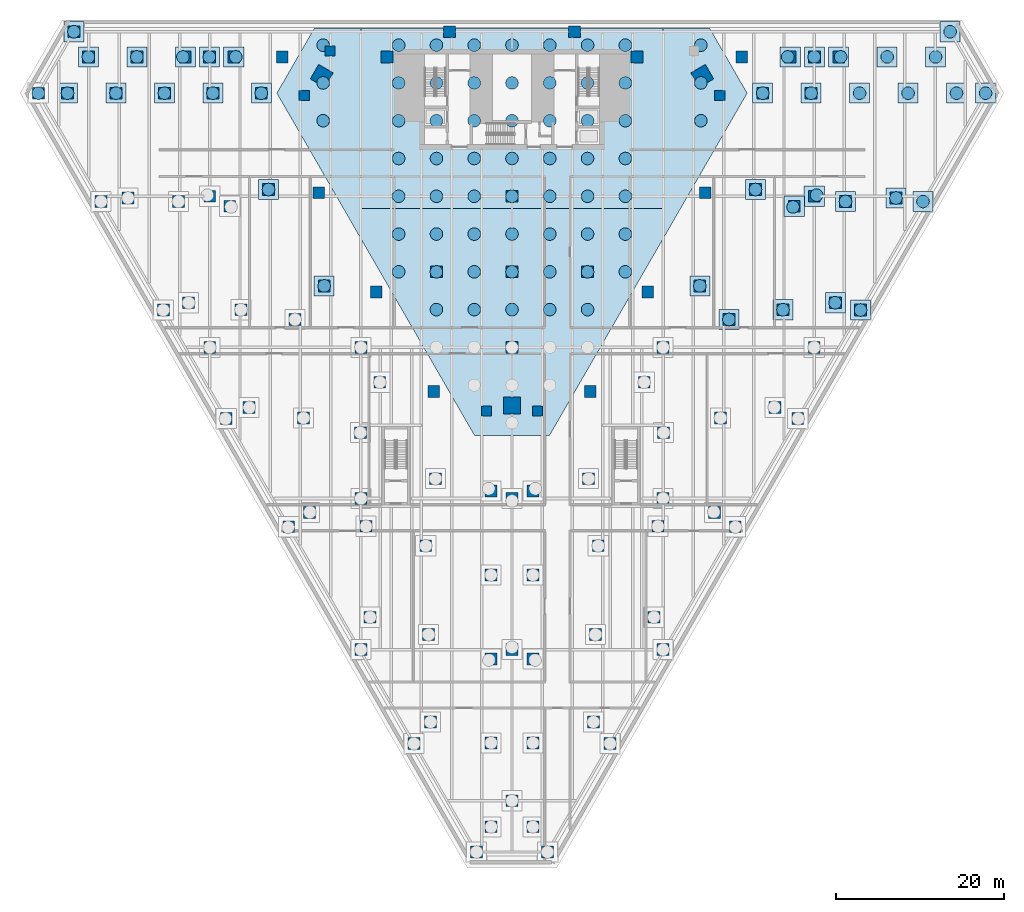
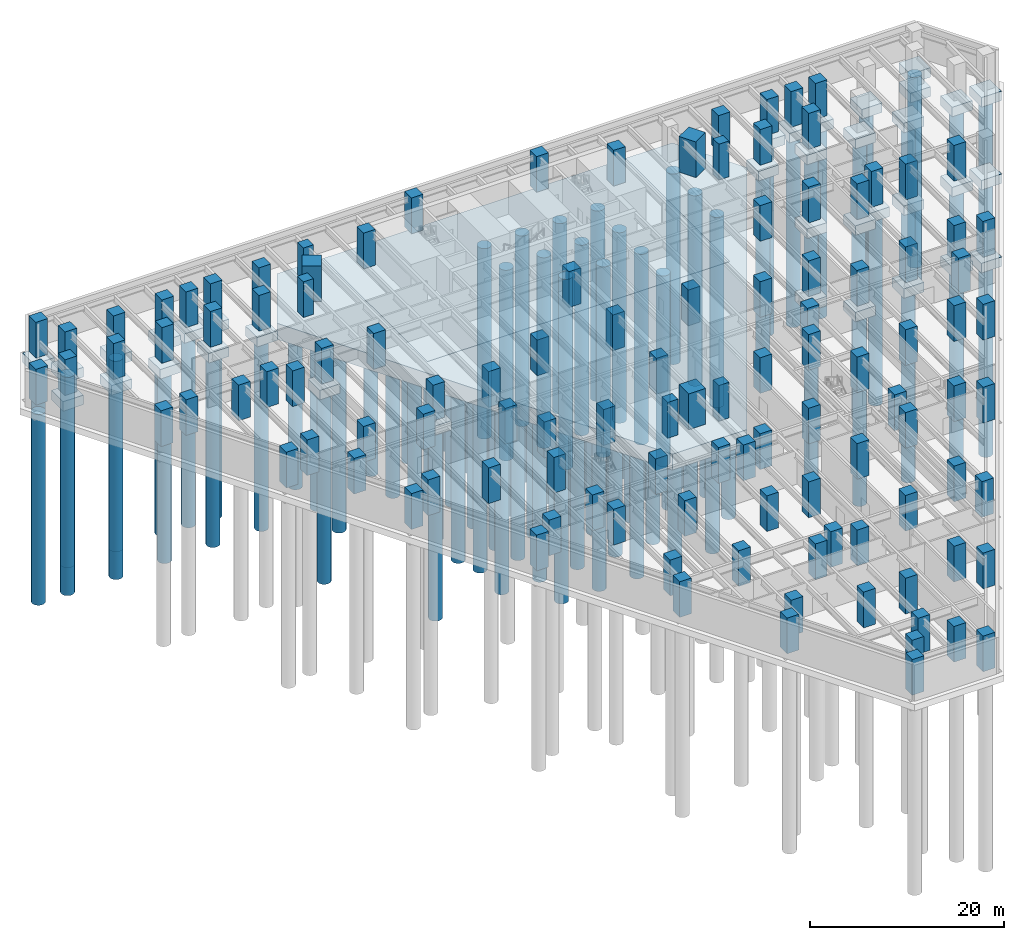
# One storey, part 2 of 18: 114 columns, 97 piles, 38 footings.
"""IFC4 building model written with IfcOpenShell, lengths in metres."""

from ifc_helpers import new_model, si_unit, direction, frame, origin, origin_2d, place, context, subcontext, project, spatial, polyline, rectangle, circle, outline, extrude, material, layer, layer_set, material_profile, profile_set, type_object, element, save


model = new_model("IFC4")

# Units and contexts
model_context = context("Model", 3, precision=1e-05, world=origin(), true_north=direction((0.0, 1.0)))
body_context = subcontext(model_context, "Body", "Model", "MODEL_VIEW")
ifc_project = project(units=[si_unit("LENGTHUNIT", "METRE"), si_unit("AREAUNIT", "SQUARE_METRE"), si_unit("VOLUMEUNIT", "CUBIC_METRE"), si_unit("PLANEANGLEUNIT", "RADIAN"), si_unit("MASSUNIT", "GRAM", prefix="KILO")], contexts=[model_context])

# Site, building, storey
site_placement = place(None, origin())
site = spatial("IfcSite", under=ifc_project, at=site_placement, CompositionType="ELEMENT")
building_placement = place(site_placement, origin())
building = spatial("IfcBuilding", under=site, at=building_placement, Name="Aloe Facet Convention Tower", CompositionType="ELEMENT")
storey_placement = place(building_placement, frame((0.0, 0.0, -9.0)))
storey = spatial("IfcBuildingStorey", under=building, at=storey_placement, Name="B2", CompositionType="ELEMENT", Elevation=-9.0)

# Footings
ifc_material_1 = material(Name="Concrete C40/50", Category="concrete")
footing_type_1 = type_object("IfcFootingType", Name="SF-PAD-3000", PredefinedType="PILE_CAP", material=ifc_material_1)
for number, where, z_axis, x_axis, name in (
    (1, (116.0, 117.0, -1.5), (0.0, 0.0, 1.0), (1.0, 0.0, 0.0), "PILE CAP PC-13C"),
    (2, (102.375, 106.324951171875, -1.5), (0.0, 0.0, 1.0), (1.0, 0.0, 0.0), "PILE CAP PE-102-106"),
    (3, (105.839111328125, 102.324951171875, -1.5), (0.0, 0.0, 1.0), (1.0, 0.0, 0.0), "PILE CAP PE-106-102"),
    (4, (109.0029296875, 117.804931640625, -1.5), (0.0, 0.0, 1.0), (1.0, 0.0, 0.0), "PILE CAP PE-109-118"),
    (5, (109.85693359375, 129.283935546875, -1.5), (0.0, 0.0, 1.0), (1.0, 0.0, 0.0), "PILE CAP PE-110-129"),
    (6, (112.281982421875, 103.485107421875, -1.5), (0.0, 0.0, 1.0), (1.0, 0.0, 0.0), "PILE CAP PE-112-103"),
    (7, (113.138916015625, 133.60009765625, -1.5), (0.0, 0.0, 1.0), (1.0, 0.0, 0.0), "PILE CAP PE-113-134"),
    (8, (113.62109375, 115.804931640625, -1.5), (0.0, 0.0, 1.0), (1.0, 0.0, 0.0), "PILE CAP PE-114-116"),
    (9, (115.6298828125, 129.283935546875, -1.5), (0.0, 0.0, 1.0), (1.0, 0.0, 0.0), "PILE CAP PE-116-129"),
    (10, (116.0419921875, 133.60009765625, -1.5), (0.0, 0.0, 1.0), (1.0, 0.0, 0.0), "PILE CAP PE-116-134"),
    (11, (118.533935546875, 104.31298828125, -1.5), (0.0, 0.0, 1.0), (1.0, 0.0, 0.0), "PILE CAP PE-119-104"),
    (12, (118.912109375, 133.60009765625, -1.5), (0.0, 0.0, 1.0), (1.0, 0.0, 0.0), "PILE CAP PE-119-134"),
    (13, (119.72998046875, 116.385009765625, -1.5), (0.0, 0.0, 1.0), (1.0, 0.0, 0.0), "PILE CAP PE-120-116"),
    (14, (121.404052734375, 129.283935546875, -1.5), (0.0, 0.0, 1.0), (1.0, 0.0, 0.0), "PILE CAP PE-121-129"),
    (15, (121.5029296875, 103.4560546875, -1.5), (0.0, 0.0, 1.0), (1.0, 0.0, 0.0), "PILE CAP PE-122-103"),
    (16, (124.68603515625, 133.60009765625, -1.5), (0.0, 0.0, 1.0), (1.0, 0.0, 0.0), "PILE CAP PE-125-134"),
    (17, (125.741943359375, 116.799072265625, -1.5), (0.0, 0.0, 1.0), (1.0, 0.0, 0.0), "PILE CAP PE-126-117"),
    (18, (127.177001953125, 129.283935546875, -1.5), (0.0, 0.0, 1.0), (1.0, 0.0, 0.0), "PILE CAP PE-127-129"),
    (19, (128.958984375, 116.3701171875, -1.5), (0.0, 0.0, 1.0), (1.0, 0.0, 0.0), "PILE CAP PE-129-116"),
    (20, (130.458984375, 133.60009765625, -1.5), (0.0, 0.0, 1.0), (1.0, 0.0, 0.0), "PILE CAP PE-130-134"),
    (21, (132.19091796875, 136.60009765625, -1.5), (0.0, 0.0, 1.0), (1.0, 0.0, 0.0), "PILE CAP PE-132-137"),
    (22, (132.950927734375, 129.283935546875, -1.5), (0.0, 0.0, 1.0), (1.0, 0.0, 0.0), "PILE CAP PE-133-129"),
    (23, (136.4150390625, 129.283935546875, -1.5), (0.0, 0.0, 1.0), (1.0, 0.0, 0.0), "PILE CAP PE-136-129"),
    (24, (27.049072265625, 129.283935546875, -1.5), (0.0, 0.0, 1.0), (1.0, 0.0, 0.0), "PILE CAP PE-27-129"),
    (25, (27.80908203125, 136.60009765625, -1.5), (0.0, 0.0, 1.0), (1.0, 0.0, 0.0), "PILE CAP PE-28-137"),
    (26, (29.541015625, 133.60009765625, -1.5), (0.0, 0.0, 1.0), (1.0, 0.0, 0.0), "PILE CAP PE-30-134"),
    (27, (32.822998046875, 129.283935546875, -1.5), (0.0, 0.0, 1.0), (1.0, 0.0, 0.0), "PILE CAP PE-33-129"),
    (28, (35.31396484375, 133.60009765625, -1.5), (0.0, 0.0, 1.0), (1.0, 0.0, 0.0), "PILE CAP PE-35-134"),
    (29, (38.595947265625, 129.283935546875, -1.5), (0.0, 0.0, 1.0), (1.0, 0.0, 0.0), "PILE CAP PE-39-129"),
    (30, (41.087890625, 133.60009765625, -1.5), (0.0, 0.0, 1.0), (1.0, 0.0, 0.0), "PILE CAP PE-41-134"),
    (31, (44.3701171875, 129.283935546875, -1.5), (0.0, 0.0, 1.0), (1.0, 0.0, 0.0), "PILE CAP PE-44-129"),
    (32, (43.9580078125, 133.60009765625, -1.5), (0.0, 0.0, 1.0), (1.0, 0.0, 0.0), "PILE CAP PE-44-134"),
    (33, (46.861083984375, 133.60009765625, -1.5), (0.0, 0.0, 1.0), (1.0, 0.0, 0.0), "PILE CAP PE-47-134"),
    (34, (50.14306640625, 129.283935546875, -1.5), (0.0, 0.0, 1.0), (1.0, 0.0, 0.0), "PILE CAP PE-50-129"),
    (35, (50.9970703125, 117.804931640625, -1.5), (0.0, 0.0, 1.0), (1.0, 0.0, 0.0), "PILE CAP PE-51-118"),
    (36, (57.625, 106.324951171875, -1.5), (0.0, 0.0, 1.0), (1.0, 0.0, 0.0), "PILE CAP PE-58-106"),
):
    element("IfcFooting", number, at=place(storey_placement, frame(where, z_axis=z_axis, x_axis=x_axis)), inside=storey, type_object=footing_type_1, Name=name, PredefinedType="PILE_CAP", context=body_context, shape_type="SweptSolid", body=[
        extrude(rectangle(XDim=2.39990234375, YDim=2.39990234375, at=origin_2d()), origin(), (0.0, 0.0, 1.0), 1.199951171875),
    ])

# Piles
ifc_material_2 = material(Name="Concrete C40/50", Category="concrete")
ifc_material_profile_1 = material_profile(ifc_material_2, circle(Radius=0.75, at=origin_2d()), Name="D1500")
ifc_profile_set_1 = profile_set([ifc_material_profile_1], Name="Concrete C40/50")
pile_type = type_object("IfcPileType", Name="SF-PILE-D1500", PredefinedType="BORED", material=ifc_profile_set_1)
for number, where, z_axis, x_axis, name in (
    (37, (66.5, 117.0, -3.64990234375), (0.0, 0.0, -1.0), (1.0, 0.0, 0.0), "BORED PILE 001"),
    (38, (66.5, 121.5, -3.64990234375), (0.0, 0.0, -1.0), (1.0, 0.0, 0.0), "BORED PILE 002"),
    (39, (66.5, 126.0, -3.64990234375), (0.0, 0.0, -1.0), (1.0, 0.0, 0.0), "BORED PILE 003"),
    (40, (66.5, 130.5, -3.64990234375), (0.0, 0.0, -1.0), (1.0, 0.0, 0.0), "BORED PILE 004"),
    (41, (66.5, 135.0, -3.64990234375), (0.0, 0.0, -1.0), (1.0, 0.0, 0.0), "BORED PILE 005"),
    (42, (71.0, 117.0, -3.64990234375), (0.0, 0.0, -1.0), (1.0, 0.0, 0.0), "BORED PILE 006"),
    (43, (71.0, 121.5, -3.64990234375), (0.0, 0.0, -1.0), (1.0, 0.0, 0.0), "BORED PILE 007"),
    (44, (71.0, 126.0, -3.64990234375), (0.0, 0.0, -1.0), (1.0, 0.0, 0.0), "BORED PILE 008"),
    (45, (71.0, 130.5, -3.64990234375), (0.0, 0.0, -1.0), (1.0, 0.0, 0.0), "BORED PILE 009"),
    (46, (71.0, 135.0, -3.64990234375), (0.0, 0.0, -1.0), (1.0, 0.0, 0.0), "BORED PILE 010"),
    (47, (75.5, 117.0, -3.64990234375), (0.0, 0.0, -1.0), (1.0, 0.0, 0.0), "BORED PILE 011"),
    (48, (75.5, 121.5, -3.64990234375), (0.0, 0.0, -1.0), (1.0, 0.0, 0.0), "BORED PILE 012"),
    (49, (75.5, 126.0, -3.64990234375), (0.0, 0.0, -1.0), (1.0, 0.0, 0.0), "BORED PILE 013"),
    (50, (75.5, 130.5, -3.64990234375), (0.0, 0.0, -1.0), (1.0, 0.0, 0.0), "BORED PILE 014"),
    (51, (75.5, 135.0, -3.64990234375), (0.0, 0.0, -1.0), (1.0, 0.0, 0.0), "BORED PILE 015"),
    (52, (80.0, 117.0, -3.64990234375), (0.0, 0.0, -1.0), (1.0, 0.0, 0.0), "BORED PILE 016"),
    (53, (80.0, 121.5, -3.64990234375), (0.0, 0.0, -1.0), (1.0, 0.0, 0.0), "BORED PILE 017"),
    (54, (80.0, 126.0, -3.64990234375), (0.0, 0.0, -1.0), (1.0, 0.0, 0.0), "BORED PILE 018"),
    (55, (80.0, 130.5, -3.64990234375), (0.0, 0.0, -1.0), (1.0, 0.0, 0.0), "BORED PILE 019"),
    (56, (80.0, 135.0, -3.64990234375), (0.0, 0.0, -1.0), (1.0, 0.0, 0.0), "BORED PILE 020"),
    (57, (84.5, 117.0, -3.64990234375), (0.0, 0.0, -1.0), (1.0, 0.0, 0.0), "BORED PILE 021"),
    (58, (84.5, 121.5, -3.64990234375), (0.0, 0.0, -1.0), (1.0, 0.0, 0.0), "BORED PILE 022"),
    (59, (84.5, 126.0, -3.64990234375), (0.0, 0.0, -1.0), (1.0, 0.0, 0.0), "BORED PILE 023"),
    (60, (84.5, 130.5, -3.64990234375), (0.0, 0.0, -1.0), (1.0, 0.0, 0.0), "BORED PILE 024"),
    (61, (84.5, 135.0, -3.64990234375), (0.0, 0.0, -1.0), (1.0, 0.0, 0.0), "BORED PILE 025"),
    (62, (89.0, 117.0, -3.64990234375), (0.0, 0.0, -1.0), (1.0, 0.0, 0.0), "BORED PILE 026"),
    (63, (89.0, 121.5, -3.64990234375), (0.0, 0.0, -1.0), (1.0, 0.0, 0.0), "BORED PILE 027"),
    (64, (89.0, 126.0, -3.64990234375), (0.0, 0.0, -1.0), (1.0, 0.0, 0.0), "BORED PILE 028"),
    (65, (89.0, 130.5, -3.64990234375), (0.0, 0.0, -1.0), (1.0, 0.0, 0.0), "BORED PILE 029"),
    (66, (89.0, 135.0, -3.64990234375), (0.0, 0.0, -1.0), (1.0, 0.0, 0.0), "BORED PILE 030"),
    (67, (93.5, 117.0, -3.64990234375), (0.0, 0.0, -1.0), (1.0, 0.0, 0.0), "BORED PILE 031"),
    (68, (93.5, 121.5, -3.64990234375), (0.0, 0.0, -1.0), (1.0, 0.0, 0.0), "BORED PILE 032"),
    (69, (93.5, 126.0, -3.64990234375), (0.0, 0.0, -1.0), (1.0, 0.0, 0.0), "BORED PILE 033"),
    (70, (93.5, 130.5, -3.64990234375), (0.0, 0.0, -1.0), (1.0, 0.0, 0.0), "BORED PILE 034"),
    (71, (93.5, 135.0, -3.64990234375), (0.0, 0.0, -1.0), (1.0, 0.0, 0.0), "BORED PILE 035"),
    (72, (57.5, 126.0, -2.14990234375), (0.0, 0.0, -1.0), (1.0, 0.0, 0.0), "BORED PILE 036"),
    (73, (57.5, 130.5, -2.14990234375), (0.0, 0.0, -1.0), (1.0, 0.0, 0.0), "BORED PILE 037"),
    (74, (57.5, 135.0, -2.14990234375), (0.0, 0.0, -1.0), (1.0, 0.0, 0.0), "BORED PILE 038"),
    (75, (66.5, 108.0, -2.14990234375), (0.0, 0.0, -1.0), (1.0, 0.0, 0.0), "BORED PILE 039"),
    (76, (66.5, 112.5, -2.14990234375), (0.0, 0.0, -1.0), (1.0, 0.0, 0.0), "BORED PILE 040"),
    (77, (71.0, 103.5, -2.14990234375), (0.0, 0.0, -1.0), (1.0, 0.0, 0.0), "BORED PILE 042"),
    (78, (71.0, 108.0, -2.14990234375), (0.0, 0.0, -1.0), (1.0, 0.0, 0.0), "BORED PILE 043"),
    (79, (71.0, 112.5, -2.14990234375), (0.0, 0.0, -1.0), (1.0, 0.0, 0.0), "BORED PILE 044"),
    (80, (75.5, 103.5, -2.14990234375), (0.0, 0.0, -1.0), (1.0, 0.0, 0.0), "BORED PILE 047"),
    (81, (75.5, 108.0, -2.14990234375), (0.0, 0.0, -1.0), (1.0, 0.0, 0.0), "BORED PILE 048"),
    (82, (75.5, 112.5, -2.14990234375), (0.0, 0.0, -1.0), (1.0, 0.0, 0.0), "BORED PILE 049"),
    (83, (80.0, 103.5, -2.14990234375), (0.0, 0.0, -1.0), (1.0, 0.0, 0.0), "BORED PILE 053"),
    (84, (80.0, 108.0, -2.14990234375), (0.0, 0.0, -1.0), (1.0, 0.0, 0.0), "BORED PILE 054"),
    (85, (80.0, 112.5, -2.14990234375), (0.0, 0.0, -1.0), (1.0, 0.0, 0.0), "BORED PILE 055"),
    (86, (84.5, 103.5, -2.14990234375), (0.0, 0.0, -1.0), (1.0, 0.0, 0.0), "BORED PILE 058"),
    (87, (84.5, 108.0, -2.14990234375), (0.0, 0.0, -1.0), (1.0, 0.0, 0.0), "BORED PILE 059"),
    (88, (84.5, 112.5, -2.14990234375), (0.0, 0.0, -1.0), (1.0, 0.0, 0.0), "BORED PILE 060"),
    (89, (89.0, 103.5, -2.14990234375), (0.0, 0.0, -1.0), (1.0, 0.0, 0.0), "BORED PILE 062"),
    (90, (89.0, 108.0, -2.14990234375), (0.0, 0.0, -1.0), (1.0, 0.0, 0.0), "BORED PILE 063"),
    (91, (89.0, 112.5, -2.14990234375), (0.0, 0.0, -1.0), (1.0, 0.0, 0.0), "BORED PILE 064"),
    (92, (93.5, 108.0, -2.14990234375), (0.0, 0.0, -1.0), (1.0, 0.0, 0.0), "BORED PILE 065"),
    (93, (93.5, 112.5, -2.14990234375), (0.0, 0.0, -1.0), (1.0, 0.0, 0.0), "BORED PILE 066"),
    (94, (102.5, 126.0, -2.14990234375), (0.0, 0.0, -1.0), (1.0, 0.0, 0.0), "BORED PILE 067"),
    (95, (102.5, 130.5, -2.14990234375), (0.0, 0.0, -1.0), (1.0, 0.0, 0.0), "BORED PILE 068"),
    (96, (102.5, 135.0, -2.14990234375), (0.0, 0.0, -1.0), (1.0, 0.0, 0.0), "BORED PILE 069"),
    (97, (116.2900390625, 117.146484375, -1.35009765625), (0.0, 0.0, -1.0), (1.0, 0.0, 0.0), "BORED PILE 073"),
    (98, (102.375, 106.324951171875, -1.35009765625), (0.0, 0.0, -1.0), (1.0, 0.0, 0.0), "BORED PILE 083"),
    (99, (105.839111328125, 102.324951171875, -1.35009765625), (0.0, 0.0, -1.0), (1.0, 0.0, 0.0), "BORED PILE 086"),
    (100, (109.0029296875, 117.804931640625, -1.35009765625), (0.0, 0.0, -1.0), (1.0, 0.0, 0.0), "BORED PILE 088"),
    (101, (109.85693359375, 129.283935546875, -1.35009765625), (0.0, 0.0, -1.0), (1.0, 0.0, 0.0), "BORED PILE 089"),
    (102, (112.281982421875, 103.485107421875, -1.35009765625), (0.0, 0.0, -1.0), (1.0, 0.0, 0.0), "BORED PILE 091"),
    (103, (112.84912109375, 133.60009765625, -1.35009765625), (0.0, 0.0, -1.0), (1.0, 0.0, 0.0), "BORED PILE 092"),
    (104, (113.4755859375, 115.73193359375, -1.35009765625), (0.0, 0.0, -1.0), (1.0, 0.0, 0.0), "BORED PILE 093"),
    (105, (115.6298828125, 129.283935546875, -1.35009765625), (0.0, 0.0, -1.0), (1.0, 0.0, 0.0), "BORED PILE 095"),
    (106, (115.99951171875, 133.60009765625, -1.35009765625), (0.0, 0.0, -1.0), (1.0, 0.0, 0.0), "BORED PILE 096"),
    (107, (118.4951171875, 104.32421875, -1.35009765625), (0.0, 0.0, -1.0), (1.0, 0.0, 0.0), "BORED PILE 097"),
    (108, (119.14990234375, 133.60009765625, -1.35009765625), (0.0, 0.0, -1.0), (1.0, 0.0, 0.0), "BORED PILE 098"),
    (109, (119.72998046875, 116.385009765625, -1.35009765625), (0.0, 0.0, -1.0), (1.0, 0.0, 0.0), "BORED PILE 099"),
    (110, (121.404052734375, 129.283935546875, -1.35009765625), (0.0, 0.0, -1.0), (1.0, 0.0, 0.0), "BORED PILE 100"),
    (111, (121.521484375, 103.45068359375, -1.35009765625), (0.0, 0.0, -1.0), (1.0, 0.0, 0.0), "BORED PILE 101"),
    (112, (124.68603515625, 133.60009765625, -1.35009765625), (0.0, 0.0, -1.0), (1.0, 0.0, 0.0), "BORED PILE 102"),
    (113, (125.741943359375, 116.799072265625, -1.35009765625), (0.0, 0.0, -1.0), (1.0, 0.0, 0.0), "BORED PILE 103"),
    (114, (127.177001953125, 129.283935546875, -1.35009765625), (0.0, 0.0, -1.0), (1.0, 0.0, 0.0), "BORED PILE 104"),
    (115, (128.958984375, 116.3701171875, -1.35009765625), (0.0, 0.0, -1.0), (1.0, 0.0, 0.0), "BORED PILE 105"),
    (116, (130.458984375, 133.60009765625, -1.35009765625), (0.0, 0.0, -1.0), (1.0, 0.0, 0.0), "BORED PILE 106"),
    (117, (132.19091796875, 136.60009765625, -1.35009765625), (0.0, 0.0, -1.0), (1.0, 0.0, 0.0), "BORED PILE 107"),
    (118, (132.950927734375, 129.283935546875, -1.35009765625), (0.0, 0.0, -1.0), (1.0, 0.0, 0.0), "BORED PILE 108"),
    (119, (136.4150390625, 129.283935546875, -1.35009765625), (0.0, 0.0, -1.0), (1.0, 0.0, 0.0), "BORED PILE 109"),
    (120, (23.5849609375, 129.283935546875, -1.35009765625), (0.0, 0.0, -1.0), (1.0, 0.0, 0.0), "BORED PILE 110"),
    (121, (27.049072265625, 129.283935546875, -1.35009765625), (0.0, 0.0, -1.0), (1.0, 0.0, 0.0), "BORED PILE 111"),
    (122, (27.80908203125, 136.60009765625, -1.35009765625), (0.0, 0.0, -1.0), (1.0, 0.0, 0.0), "BORED PILE 112"),
    (123, (29.541015625, 133.60009765625, -1.35009765625), (0.0, 0.0, -1.0), (1.0, 0.0, 0.0), "BORED PILE 113"),
    (124, (32.822998046875, 129.283935546875, -1.35009765625), (0.0, 0.0, -1.0), (1.0, 0.0, 0.0), "BORED PILE 115"),
    (125, (35.31396484375, 133.60009765625, -1.35009765625), (0.0, 0.0, -1.0), (1.0, 0.0, 0.0), "BORED PILE 117"),
    (126, (38.595947265625, 129.283935546875, -1.35009765625), (0.0, 0.0, -1.0), (1.0, 0.0, 0.0), "BORED PILE 119"),
    (127, (40.798095703125, 133.60009765625, -1.35009765625), (0.0, 0.0, -1.0), (1.0, 0.0, 0.0), "BORED PILE 122"),
    (128, (44.3701171875, 129.283935546875, -1.35009765625), (0.0, 0.0, -1.0), (1.0, 0.0, 0.0), "BORED PILE 123"),
    (129, (43.9482421875, 133.60009765625, -1.35009765625), (0.0, 0.0, -1.0), (1.0, 0.0, 0.0), "BORED PILE 124"),
    (130, (47.098388671875, 133.60009765625, -1.35009765625), (0.0, 0.0, -1.0), (1.0, 0.0, 0.0), "BORED PILE 127"),
    (131, (50.14306640625, 129.283935546875, -1.35009765625), (0.0, 0.0, -1.0), (1.0, 0.0, 0.0), "BORED PILE 130"),
    (132, (50.9970703125, 117.804931640625, -1.35009765625), (0.0, 0.0, -1.0), (1.0, 0.0, 0.0), "BORED PILE 131"),
    (133, (57.625, 106.324951171875, -1.35009765625), (0.0, 0.0, -1.0), (1.0, 0.0, 0.0), "BORED PILE 136"),
):
    element("IfcPile", number, at=place(storey_placement, frame(where, z_axis=z_axis, x_axis=x_axis)), inside=storey, type_object=pile_type, Name=name, PredefinedType="BORED", context=body_context, shape_type="SweptSolid", body=[
        extrude(circle(Radius=0.75, at=origin_2d()), origin(), (0.0, 0.0, 1.0), 24.0),
    ])

# Footings
ifc_material_3 = material(Name="Concrete C40/50", Category="concrete")
ifc_layer_1 = layer(ifc_material_3, 2.0)
ifc_layer_set_1 = layer_set([ifc_layer_1], Name="SF-RAFT-2000")
footing_type_2 = type_object("IfcFootingType", Name="SF-RAFT-2000", PredefinedType="PILE_CAP", material=ifc_layer_set_1)
footing_1_placement = place(storey_placement, frame((0.0, 0.0, -2.300048828125)))
element("IfcFooting", 134, at=footing_1_placement, inside=storey, type_object=footing_type_2, Name="RAFT RF2-1", PredefinedType="PILE_CAP", context=body_context, shape_type="SweptSolid", body=[
    extrude(outline(polyline([(108.009521484375, 129.2841796875), (84.45458984375, 88.486328125), (75.54541015625, 88.486328125), (51.990478515625, 129.2841796875), (56.4453125, 137.0), (62.0, 137.0), (62.0, 115.550048828125), (98.0, 115.550048828125), (98.0, 137.0), (103.5546875, 137.0), (108.009521484375, 129.2841796875)])), origin(), (0.0, 0.0, 1.0), 2.0),
])
ifc_material_4 = material(Name="Concrete C40/50", Category="concrete")
ifc_layer_2 = layer(ifc_material_4, 3.5)
ifc_layer_set_2 = layer_set([ifc_layer_2], Name="SF-RAFT-3500")
footing_type_3 = type_object("IfcFootingType", Name="SF-RAFT-3500", PredefinedType="PILE_CAP", material=ifc_layer_set_2)
footing_2_placement = place(storey_placement, frame((0.0, 0.0, -3.800048828125)))
element("IfcFooting", 135, at=footing_2_placement, inside=storey, type_object=footing_type_3, Name="RAFT RF1-1", PredefinedType="PILE_CAP", context=body_context, shape_type="SweptSolid", body=[
    extrude(outline(polyline([(62.0, 115.550048828125), (62.0, 137.0), (98.0, 137.0), (98.0, 115.550048828125), (62.0, 115.550048828125)])), origin(), (0.0, 0.0, 1.0), 3.5),
])

# Columns
ifc_material_5 = material(Name="Concrete C60/75", Category="concrete")
ifc_material_profile_2 = material_profile(ifc_material_5, rectangle(XDim=1.39990234375, YDim=1.39990234375, at=origin_2d()), Name="SF-PC-1400")
ifc_profile_set_2 = profile_set([ifc_material_profile_2], Name="Concrete C60/75")
column_type_1 = type_object("IfcColumnType", Name="SF-PC-1400", PredefinedType="COLUMN", material=ifc_profile_set_2)
for number, where, z_axis, x_axis, name in (
    (136, (89.0, 108.0, 0.0), (0.0, 0.0, 1.0), (1.0, 0.0, 0.0), "Podium column PC-10D"),
    (137, (98.0, 99.0, 0.0), (0.0, 0.0, 1.0), (1.0, 0.0, 0.0), "Podium column PC-11E"),
    (138, (98.0, 81.0, 0.0), (0.0, 0.0, 1.0), (1.0, 0.0, 0.0), "Podium column PC-11G"),
    (139, (98.0, 63.0, 0.0), (0.0, 0.0, 1.0), (1.0, 0.0, 0.0), "Podium column PC-11J"),
    (140, (116.0, 117.0, 0.0), (0.0, 0.0, 1.0), (1.0, 0.0, 0.0), "Podium column PC-13C"),
    (141, (116.0, 99.0, 0.0), (0.0, 0.0, 1.0), (1.0, 0.0, 0.0), "Podium column PC-13E"),
    (142, (44.0, 117.0, 0.0), (0.0, 0.0, 1.0), (1.0, 0.0, 0.0), "Podium column PC-5C"),
    (143, (44.0, 99.0, 0.0), (0.0, 0.0, 1.0), (1.0, 0.0, 0.0), "Podium column PC-5E"),
    (144, (62.0, 99.0, 0.0), (0.0, 0.0, 1.0), (1.0, 0.0, 0.0), "Podium column PC-7E"),
    (145, (62.0, 81.0, 0.0), (0.0, 0.0, 1.0), (1.0, 0.0, 0.0), "Podium column PC-7G"),
    (146, (62.0, 63.0, 0.0), (0.0, 0.0, 1.0), (1.0, 0.0, 0.0), "Podium column PC-7J"),
    (147, (71.0, 108.0, 0.0), (0.0, 0.0, 1.0), (1.0, 0.0, 0.0), "Podium column PC-8D"),
    (148, (80.0, 117.0, 0.0), (0.0, 0.0, 1.0), (1.0, 0.0, 0.0), "Podium column PC-9C"),
    (149, (80.0, 108.0, 0.0), (0.0, 0.0, 1.0), (1.0, 0.0, 0.0), "Podium column PC-9D"),
    (150, (80.0, 99.0, 0.0), (0.0, 0.0, 1.0), (1.0, 0.0, 0.0), "Podium column PC-9E"),
    (151, (80.0, 81.0, 0.0), (0.0, 0.0, 1.0), (1.0, 0.0, 0.0), "Podium column PC-9G"),
    (152, (80.0, 63.0, 0.0), (0.0, 0.0, 1.0), (1.0, 0.0, 0.0), "Podium column PC-9J"),
    (153, (80.0, 45.0, 0.0), (0.0, 0.0, 1.0), (1.0, 0.0, 0.0), "Podium column PC-9L"),
    (154, (102.375, 106.324951171875, 0.0), (0.0, 0.0, 1.0), (1.0, 0.0, 0.0), "Podium column PE-102-106"),
    (155, (103.01611328125, 117.43505859375, 0.0), (0.0, 0.0, 1.0), (1.0, 0.0, 0.0), "Podium column PE-103-117"),
    (156, (104.116943359375, 79.343017578125, 0.0), (0.0, 0.0, 1.0), (1.0, 0.0, 0.0), "Podium column PE-104-79"),
    (157, (104.8349609375, 90.5849609375, 0.0), (0.0, 0.0, 1.0), (1.0, 0.0, 0.0), "Podium column PE-105-91"),
    (158, (105.839111328125, 102.324951171875, 0.0), (0.0, 0.0, 1.0), (1.0, 0.0, 0.0), "Podium column PE-106-102"),
    (159, (107.364990234375, 133.60009765625, 0.0), (0.0, 0.0, 1.0), (1.0, 0.0, 0.0), "Podium column PE-107-134"),
    (160, (106.591064453125, 77.6279296875, 0.0), (0.0, 0.0, 1.0), (1.0, 0.0, 0.0), "Podium column PE-107-78"),
    (161, (109.0029296875, 117.804931640625, 0.0), (0.0, 0.0, 1.0), (1.0, 0.0, 0.0), "Podium column PE-109-118"),
    (162, (109.85693359375, 129.283935546875, 0.0), (0.0, 0.0, 1.0), (1.0, 0.0, 0.0), "Podium column PE-110-129"),
    (163, (111.325927734375, 91.827880859375, 0.0), (0.0, 0.0, 1.0), (1.0, 0.0, 0.0), "Podium column PE-111-92"),
    (164, (112.281982421875, 103.485107421875, 0.0), (0.0, 0.0, 1.0), (1.0, 0.0, 0.0), "Podium column PE-112-103"),
    (165, (113.138916015625, 133.60009765625, 0.0), (0.0, 0.0, 1.0), (1.0, 0.0, 0.0), "Podium column PE-113-134"),
    (166, (113.62109375, 115.804931640625, 0.0), (0.0, 0.0, 1.0), (1.0, 0.0, 0.0), "Podium column PE-114-116"),
    (167, (114.047119140625, 90.5419921875, 0.0), (0.0, 0.0, 1.0), (1.0, 0.0, 0.0), "Podium column PE-114-91"),
    (168, (115.6298828125, 129.283935546875, 0.0), (0.0, 0.0, 1.0), (1.0, 0.0, 0.0), "Podium column PE-116-129"),
    (169, (116.0419921875, 133.60009765625, 0.0), (0.0, 0.0, 1.0), (1.0, 0.0, 0.0), "Podium column PE-116-134"),
    (170, (118.533935546875, 104.31298828125, 0.0), (0.0, 0.0, 1.0), (1.0, 0.0, 0.0), "Podium column PE-119-104"),
    (171, (118.912109375, 133.60009765625, 0.0), (0.0, 0.0, 1.0), (1.0, 0.0, 0.0), "Podium column PE-119-134"),
    (172, (119.72998046875, 116.385009765625, 0.0), (0.0, 0.0, 1.0), (1.0, 0.0, 0.0), "Podium column PE-120-116"),
    (173, (121.5029296875, 103.4560546875, 0.0), (0.0, 0.0, 1.0), (1.0, 0.0, 0.0), "Podium column PE-122-103"),
    (174, (125.741943359375, 116.799072265625, 0.0), (0.0, 0.0, 1.0), (1.0, 0.0, 0.0), "Podium column PE-126-117"),
    (175, (23.5849609375, 129.283935546875, 0.0), (0.0, 0.0, 1.0), (1.0, 0.0, 0.0), "Podium column PE-24-129"),
    (176, (27.049072265625, 129.283935546875, 0.0), (0.0, 0.0, 1.0), (1.0, 0.0, 0.0), "Podium column PE-27-129"),
    (177, (27.80908203125, 136.60009765625, 0.0), (0.0, 0.0, 1.0), (1.0, 0.0, 0.0), "Podium column PE-28-137"),
    (178, (29.541015625, 133.60009765625, 0.0), (0.0, 0.0, 1.0), (1.0, 0.0, 0.0), "Podium column PE-30-134"),
    (179, (31.041015625, 116.3701171875, 0.0), (0.0, 0.0, 1.0), (1.0, 0.0, 0.0), "Podium column PE-31-116"),
    (180, (32.822998046875, 129.283935546875, 0.0), (0.0, 0.0, 1.0), (1.0, 0.0, 0.0), "Podium column PE-33-129"),
    (181, (34.258056640625, 116.799072265625, 0.0), (0.0, 0.0, 1.0), (1.0, 0.0, 0.0), "Podium column PE-34-117"),
    (182, (35.31396484375, 133.60009765625, 0.0), (0.0, 0.0, 1.0), (1.0, 0.0, 0.0), "Podium column PE-35-134"),
    (183, (38.4970703125, 103.4560546875, 0.0), (0.0, 0.0, 1.0), (1.0, 0.0, 0.0), "Podium column PE-38-103"),
    (184, (38.595947265625, 129.283935546875, 0.0), (0.0, 0.0, 1.0), (1.0, 0.0, 0.0), "Podium column PE-39-129"),
    (185, (40.27001953125, 116.385009765625, 0.0), (0.0, 0.0, 1.0), (1.0, 0.0, 0.0), "Podium column PE-40-116"),
    (186, (41.466064453125, 104.31298828125, 0.0), (0.0, 0.0, 1.0), (1.0, 0.0, 0.0), "Podium column PE-41-104"),
    (187, (41.087890625, 133.60009765625, 0.0), (0.0, 0.0, 1.0), (1.0, 0.0, 0.0), "Podium column PE-41-134"),
    (188, (44.3701171875, 129.283935546875, 0.0), (0.0, 0.0, 1.0), (1.0, 0.0, 0.0), "Podium column PE-44-129"),
    (189, (43.9580078125, 133.60009765625, 0.0), (0.0, 0.0, 1.0), (1.0, 0.0, 0.0), "Podium column PE-44-134"),
    (190, (46.37890625, 115.804931640625, 0.0), (0.0, 0.0, 1.0), (1.0, 0.0, 0.0), "Podium column PE-46-116"),
    (191, (45.952880859375, 90.5419921875, 0.0), (0.0, 0.0, 1.0), (1.0, 0.0, 0.0), "Podium column PE-46-91"),
    (192, (46.861083984375, 133.60009765625, 0.0), (0.0, 0.0, 1.0), (1.0, 0.0, 0.0), "Podium column PE-47-134"),
    (193, (47.718017578125, 103.485107421875, 0.0), (0.0, 0.0, 1.0), (1.0, 0.0, 0.0), "Podium column PE-48-103"),
    (194, (48.674072265625, 91.827880859375, 0.0), (0.0, 0.0, 1.0), (1.0, 0.0, 0.0), "Podium column PE-49-92"),
    (195, (50.14306640625, 129.283935546875, 0.0), (0.0, 0.0, 1.0), (1.0, 0.0, 0.0), "Podium column PE-50-129"),
    (196, (50.9970703125, 117.804931640625, 0.0), (0.0, 0.0, 1.0), (1.0, 0.0, 0.0), "Podium column PE-51-118"),
    (197, (52.635009765625, 133.60009765625, 0.0), (0.0, 0.0, 1.0), (1.0, 0.0, 0.0), "Podium column PE-53-134"),
    (198, (53.408935546875, 77.6279296875, 0.0), (0.0, 0.0, 1.0), (1.0, 0.0, 0.0), "Podium column PE-53-78"),
    (199, (54.160888671875, 102.324951171875, 0.0), (0.0, 0.0, 1.0), (1.0, 0.0, 0.0), "Podium column PE-54-102"),
    (200, (55.1650390625, 90.5849609375, 0.0), (0.0, 0.0, 1.0), (1.0, 0.0, 0.0), "Podium column PE-55-91"),
    (201, (55.883056640625, 79.343017578125, 0.0), (0.0, 0.0, 1.0), (1.0, 0.0, 0.0), "Podium column PE-56-79"),
    (202, (56.98388671875, 117.43505859375, 0.0), (0.0, 0.0, 1.0), (1.0, 0.0, 0.0), "Podium column PE-57-117"),
    (203, (57.625, 106.324951171875, 0.0), (0.0, 0.0, 1.0), (1.0, 0.0, 0.0), "Podium column PE-58-106"),
    (204, (61.943115234375, 88.844970703125, 0.0), (0.0, 0.0, 1.0), (1.0, 0.0, 0.0), "Podium column PE-62-89"),
    (205, (63.091064453125, 66.85693359375, 0.0), (0.0, 0.0, 1.0), (1.0, 0.0, 0.0), "Podium column PE-63-67"),
    (206, (62.613037109375, 77.68603515625, 0.0), (0.0, 0.0, 1.0), (1.0, 0.0, 0.0), "Podium column PE-63-78"),
    (207, (63.825927734375, 105.5849609375, 0.0), (0.0, 0.0, 1.0), (1.0, 0.0, 0.0), "Podium column PE-64-106"),
    (208, (64.2529296875, 94.844970703125, 0.0), (0.0, 0.0, 1.0), (1.0, 0.0, 0.0), "Podium column PE-64-95"),
    (209, (65.10498046875, 133.60009765625, 0.0), (0.0, 0.0, 1.0), (1.0, 0.0, 0.0), "Podium column PE-65-134"),
    (210, (68.320068359375, 51.800048828125, 0.0), (0.0, 0.0, 1.0), (1.0, 0.0, 0.0), "Podium column PE-68-52"),
    (211, (70.300048828125, 54.3720703125, 0.0), (0.0, 0.0, 1.0), (1.0, 0.0, 0.0), "Podium column PE-70-54"),
    (212, (70.06103515625, 64.785888671875, 0.0), (0.0, 0.0, 1.0), (1.0, 0.0, 0.0), "Podium column PE-70-65"),
    (213, (69.72607421875, 75.365966796875, 0.0), (0.0, 0.0, 1.0), (1.0, 0.0, 0.0), "Podium column PE-70-75"),
    (214, (70.881103515625, 83.365966796875, 0.0), (0.0, 0.0, 1.0), (1.0, 0.0, 0.0), "Podium column PE-71-83"),
    (215, (70.6669921875, 93.736083984375, 0.0), (0.0, 0.0, 1.0), (1.0, 0.0, 0.0), "Podium column PE-71-94"),
    (216, (72.5439453125, 136.60009765625, 0.0), (0.0, 0.0, 1.0), (1.0, 0.0, 0.0), "Podium column PE-73-137"),
    (217, (75.77587890625, 38.885986328125, 0.0), (0.0, 0.0, 1.0), (1.0, 0.0, 0.0), "Podium column PE-76-39"),
    (218, (77.508056640625, 41.885986328125, 0.0), (0.0, 0.0, 1.0), (1.0, 0.0, 0.0), "Podium column PE-78-42"),
    (219, (77.508056640625, 51.885986328125, 0.0), (0.0, 0.0, 1.0), (1.0, 0.0, 0.0), "Podium column PE-78-52"),
    (220, (77.508056640625, 61.885986328125, 0.0), (0.0, 0.0, 1.0), (1.0, 0.0, 0.0), "Podium column PE-78-62"),
    (221, (77.508056640625, 71.885986328125, 0.0), (0.0, 0.0, 1.0), (1.0, 0.0, 0.0), "Podium column PE-78-72"),
    (222, (77.508056640625, 81.885986328125, 0.0), (0.0, 0.0, 1.0), (1.0, 0.0, 0.0), "Podium column PE-78-82"),
    (223, (82.491943359375, 41.885986328125, 0.0), (0.0, 0.0, 1.0), (1.0, 0.0, 0.0), "Podium column PE-82-42"),
    (224, (82.491943359375, 51.885986328125, 0.0), (0.0, 0.0, 1.0), (1.0, 0.0, 0.0), "Podium column PE-82-52"),
    (225, (82.491943359375, 61.885986328125, 0.0), (0.0, 0.0, 1.0), (1.0, 0.0, 0.0), "Podium column PE-82-62"),
    (226, (82.491943359375, 71.885986328125, 0.0), (0.0, 0.0, 1.0), (1.0, 0.0, 0.0), "Podium column PE-82-72"),
    (227, (82.491943359375, 81.885986328125, 0.0), (0.0, 0.0, 1.0), (1.0, 0.0, 0.0), "Podium column PE-82-82"),
    (228, (84.22412109375, 38.885986328125, 0.0), (0.0, 0.0, 1.0), (1.0, 0.0, 0.0), "Podium column PE-84-39"),
    (229, (87.4560546875, 136.60009765625, 0.0), (0.0, 0.0, 1.0), (1.0, 0.0, 0.0), "Podium column PE-87-137"),
    (230, (89.118896484375, 83.365966796875, 0.0), (0.0, 0.0, 1.0), (1.0, 0.0, 0.0), "Podium column PE-89-83"),
    (231, (89.3330078125, 93.736083984375, 0.0), (0.0, 0.0, 1.0), (1.0, 0.0, 0.0), "Podium column PE-89-94"),
    (232, (89.699951171875, 54.3720703125, 0.0), (0.0, 0.0, 1.0), (1.0, 0.0, 0.0), "Podium column PE-90-54"),
    (233, (89.93896484375, 64.785888671875, 0.0), (0.0, 0.0, 1.0), (1.0, 0.0, 0.0), "Podium column PE-90-65"),
    (234, (90.27392578125, 75.365966796875, 0.0), (0.0, 0.0, 1.0), (1.0, 0.0, 0.0), "Podium column PE-90-75"),
    (235, (91.679931640625, 51.800048828125, 0.0), (0.0, 0.0, 1.0), (1.0, 0.0, 0.0), "Podium column PE-92-52"),
    (236, (94.89501953125, 133.60009765625, 0.0), (0.0, 0.0, 1.0), (1.0, 0.0, 0.0), "Podium column PE-95-134"),
    (237, (96.174072265625, 105.5849609375, 0.0), (0.0, 0.0, 1.0), (1.0, 0.0, 0.0), "Podium column PE-96-106"),
    (238, (95.7470703125, 94.844970703125, 0.0), (0.0, 0.0, 1.0), (1.0, 0.0, 0.0), "Podium column PE-96-95"),
    (239, (96.908935546875, 66.85693359375, 0.0), (0.0, 0.0, 1.0), (1.0, 0.0, 0.0), "Podium column PE-97-67"),
    (240, (97.386962890625, 77.68603515625, 0.0), (0.0, 0.0, 1.0), (1.0, 0.0, 0.0), "Podium column PE-97-78"),
    (241, (98.056884765625, 88.844970703125, 0.0), (0.0, 0.0, 1.0), (1.0, 0.0, 0.0), "Podium column PE-98-89"),
):
    element("IfcColumn", number, at=place(storey_placement, frame(where, z_axis=z_axis, x_axis=x_axis)), inside=storey, type_object=column_type_1, Name=name, PredefinedType="COLUMN", context=body_context, shape_type="SweptSolid", body=[
        extrude(rectangle(XDim=1.39990234375, YDim=1.39990234375, at=origin_2d()), origin(), (0.0, 0.0, 1.0), 4.5),
    ])
ifc_material_6 = material(Name="Concrete C60/75", Category="concrete")
ifc_material_profile_3 = material_profile(ifc_material_6, rectangle(XDim=1.199951171875, YDim=1.199951171875, at=origin_2d()), Name="SF-PR-1200")
ifc_profile_set_3 = profile_set([ifc_material_profile_3], Name="Concrete C60/75")
column_type_2 = type_object("IfcColumnType", Name="SF-PR-1200", PredefinedType="COLUMN", material=ifc_profile_set_3)
for number, where, z_axis, x_axis, name in (
    (242, (55.256103515625, 129.028076171875, 0.0), (0.0, 0.0, 1.0), (1.0, 0.0, 0.0), "Podium column PR-01-55-129"),
    (243, (58.300048828125, 134.300048828125, 0.0), (0.0, 0.0, 1.0), (1.0, 0.0, 0.0), "Podium column PR-02-58-134"),
    (244, (76.956298828125, 91.4423828125, 0.0), (0.0, 0.0, 1.0), (1.0, 0.0, 0.0), "Podium column PR-03-77-91"),
    (245, (83.043701171875, 91.4423828125, 0.0), (0.0, 0.0, 1.0), (1.0, 0.0, 0.0), "Podium column PR-04-83-91"),
    (246, (104.743896484375, 129.028076171875, 0.0), (0.0, 0.0, 1.0), (1.0, 0.0, 0.0), "Podium column PR-06-105-129"),
):
    element("IfcColumn", number, at=place(storey_placement, frame(where, z_axis=z_axis, x_axis=x_axis)), inside=storey, type_object=column_type_2, Name=name, PredefinedType="COLUMN", context=body_context, shape_type="SweptSolid", body=[
        extrude(rectangle(XDim=1.199951171875, YDim=1.199951171875, at=origin_2d()), origin(), (0.0, 0.0, 1.0), 4.5),
    ])
ifc_material_7 = material(Name="Concrete C80/95", Category="concrete")
ifc_material_profile_4 = material_profile(ifc_material_7, rectangle(XDim=2.0, YDim=2.0, at=origin_2d()), Name="STW-MC-Z1")
ifc_profile_set_4 = profile_set([ifc_material_profile_4], Name="Concrete C80/95")
column_type_3 = type_object("IfcColumnType", Name="STW-MC-Z1", PredefinedType="COLUMN", material=ifc_profile_set_4)
for number, where, z_axis, x_axis, name in (
    (247, (102.664306640625, 131.342041015625, 0.0), (0.0, 0.0, 1.0), (-0.5, 0.866025403784, 0.0), "Mega-column MC-NE-B2"),
    (248, (57.335693359375, 131.342041015625, 0.0), (0.0, 0.0, 1.0), (-0.5, -0.866025403784, 0.0), "Mega-column MC-NW-B2"),
    (249, (80.0, 92.086181640625, 0.0), (0.0, 0.0, 1.0), (1.0, 0.0, 0.0), "Mega-column MC-S-B2"),
):
    element("IfcColumn", number, at=place(storey_placement, frame(where, z_axis=z_axis, x_axis=x_axis)), inside=storey, type_object=column_type_3, Name=name, PredefinedType="COLUMN", context=body_context, shape_type="SweptSolid", body=[
        extrude(rectangle(XDim=2.0, YDim=2.0, at=origin_2d()), origin(), (0.0, 0.0, 1.0), 4.5),
    ])

save(model, "model.ifc")
